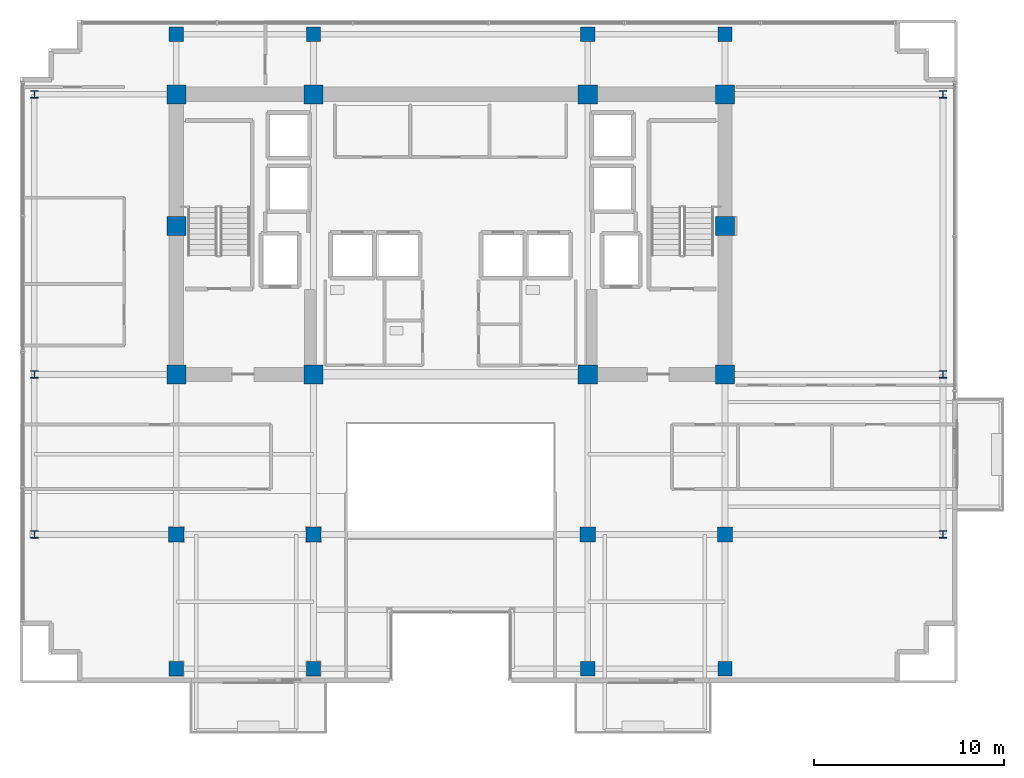
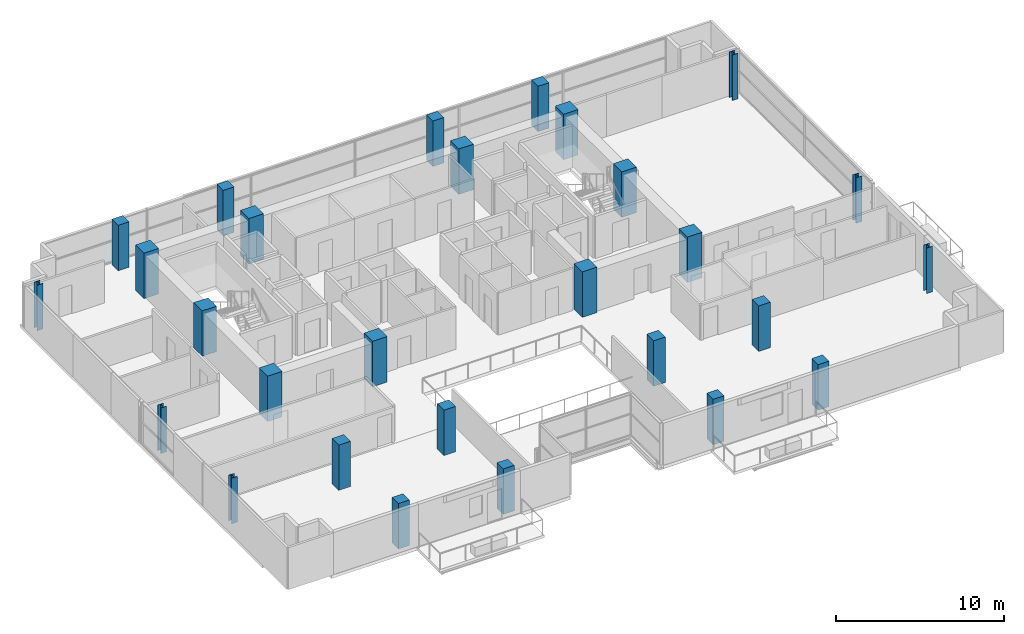
# One storey, part 1 of 22: 28 columns.
"""IFC4 building model written with IfcOpenShell, lengths in metres."""

import ifcopenshell
import ifcopenshell.guid

model = None  # the IFC model being written
_history = None  # IfcOwnerHistory: only IFC2X3 demands one
_inside = {}  # id of a spatial element -> (the spatial element, [elements in it])
_under = {}  # id of a project, library or spatial element -> (it, [spatial elements below it])
_declared = {}  # id of a project -> (the project, [libraries it declares])
_typed = {}  # id of a type object -> (the type object, [elements of that type])
_made_of = {}  # id of a material, layer set ... -> (it, [elements and type objects made of it])


def new_model(schema):
    """Start an empty IFC model of exactly this schema.

    Asked for "IFC4X3", IfcOpenShell would pick the latest addendum, in which some entities
    have other attributes; the version numbers below select the first issue.
    IFC2X3 requires an IfcOwnerHistory on every rooted entity: one is made here for all.
    """
    global model, _history
    if schema == "IFC4X3":
        model = ifcopenshell.file(schema_version=(4, 3, 0, 0))
    else:
        model = ifcopenshell.file(schema=schema)
    _inside.clear()
    _under.clear()
    _declared.clear()
    _typed.clear()
    _made_of.clear()
    _history = None
    if model.schema == "IFC2X3":
        org = make("IfcOrganization", Name="unknown")
        user = make(
            "IfcPersonAndOrganization",
            ThePerson=make("IfcPerson", FamilyName="unknown"),
            TheOrganization=org,
        )
        app = make(
            "IfcApplication",
            ApplicationDeveloper=org,
            Version="unknown",
            ApplicationFullName="unknown",
            ApplicationIdentifier="unknown",
        )
        _history = make(
            "IfcOwnerHistory",
            OwningUser=user,
            OwningApplication=app,
            ChangeAction="ADDED",
            CreationDate=0,
        )
    return model


def make(cls, **values):
    """One entity of the class cls with the attributes given. An attribute that is None is left unset."""
    return model.create_entity(
        cls, **{name: value for name, value in values.items() if value is not None}
    )


def rooted(cls, **values):
    """An entity with a GlobalId (a new one), such as an element, a storey or a relation."""
    return make(cls, GlobalId=ifcopenshell.guid.new(), OwnerHistory=_history, **values)


def si_unit(unit_type, name, prefix=None):
    """IfcSIUnit, for example si_unit("LENGTHUNIT", "METRE", prefix="MILLI")."""
    return make("IfcSIUnit", UnitType=unit_type, Prefix=prefix, Name=name)


def assignment(units):
    """IfcUnitAssignment: the units of a project."""
    return None if units is None else make("IfcUnitAssignment", Units=units)


def point(xyz):
    """IfcCartesianPoint."""
    return None if xyz is None else make("IfcCartesianPoint", Coordinates=xyz)


def direction(xyz):
    """IfcDirection."""
    return None if xyz is None else make("IfcDirection", DirectionRatios=xyz)


def frame(location, z_axis=None, x_axis=None):
    """IfcAxis2Placement3D, a coordinate frame: its origin and axes. An axis left out is left unset."""
    return make(
        "IfcAxis2Placement3D",
        Location=point(location),
        Axis=direction(z_axis),
        RefDirection=direction(x_axis),
    )


def frame_2d(location, x_axis=None):
    """IfcAxis2Placement2D, a coordinate frame in the plane: its origin and x axis."""
    return make(
        "IfcAxis2Placement2D", Location=point(location), RefDirection=direction(x_axis)
    )


def origin():
    """The frame at (0, 0, 0) with its axes left unset."""
    return frame((0.0, 0.0, 0.0))


def origin_2d():
    """The frame at (0, 0) in the plane with its x axis left unset."""
    return frame_2d((0.0, 0.0))


def place(relative_to, where):
    """IfcLocalPlacement: puts the frame where relative to a parent placement (None: the world)."""
    return make(
        "IfcLocalPlacement", PlacementRelTo=relative_to, RelativePlacement=where
    )


def context(
    kind, dimensions, precision=None, world=None, true_north=None, identifier=None
):
    """IfcGeometricRepresentationContext, for example the 3D "Model" context."""
    return make(
        "IfcGeometricRepresentationContext",
        ContextIdentifier=identifier,
        ContextType=kind,
        CoordinateSpaceDimension=dimensions,
        Precision=precision,
        WorldCoordinateSystem=world,
        TrueNorth=true_north,
    )


def subcontext(parent, identifier, kind, view, scale=None):
    """IfcGeometricRepresentationSubContext, for example "Body" below "Model"."""
    return make(
        "IfcGeometricRepresentationSubContext",
        ContextIdentifier=identifier,
        ContextType=kind,
        ParentContext=parent,
        TargetScale=scale,
        TargetView=view,
    )


def project(units=None, contexts=None):
    """IfcProject with its units and contexts."""
    return rooted(
        "IfcProject",
        Name="project",
        RepresentationContexts=contexts,
        UnitsInContext=assignment(units),
    )


def spatial(cls, under=None, at=None, **own):
    """A site, building, storey or space (cls), placed at a placement, below another one or the project."""
    s = rooted(cls, ObjectPlacement=at, **own)
    if under is not None:
        _under.setdefault(under.id(), (under, []))[1].append(s)
    return s


def profile(cls, at=None, kind="AREA", **sizes):
    """A parametric profile (cls). Its sizes go by their IFC names, for example OverallWidth=200.0."""
    return make(cls, ProfileType=kind, Position=at, **sizes)


def rectangle(**sizes):
    """IfcRectangleProfileDef."""
    return profile("IfcRectangleProfileDef", **sizes)


def i_section(**sizes):
    """IfcIShapeProfileDef."""
    return profile("IfcIShapeProfileDef", **sizes)


def extrude(swept, where, along, depth):
    """IfcExtrudedAreaSolid: the profile swept, set in the frame where, extruded along a direction by depth."""
    return make(
        "IfcExtrudedAreaSolid",
        SweptArea=swept,
        Position=where,
        ExtrudedDirection=direction(along),
        Depth=depth,
    )


def shape(context_of_items, identifier, shape_type, items):
    """IfcShapeRepresentation: the items that make up one representation, for example the "Body"."""
    return make(
        "IfcShapeRepresentation",
        ContextOfItems=context_of_items,
        RepresentationIdentifier=identifier,
        RepresentationType=shape_type,
        Items=items,
    )


def material(Name=None, Category=None):
    """IfcMaterial."""
    return make("IfcMaterial", Name=Name, Category=Category)


def material_profile(
    of_material, cross_section, Name=None, Category=None, Priority=None
):
    """IfcMaterialProfile: a cross section and its material."""
    return make(
        "IfcMaterialProfile",
        Name=Name,
        Material=of_material,
        Profile=cross_section,
        Priority=Priority,
        Category=Category,
    )


def profile_set(profiles, Name=None, composite=None):
    """IfcMaterialProfileSet."""
    return make(
        "IfcMaterialProfileSet",
        Name=Name,
        MaterialProfiles=profiles,
        CompositeProfile=composite,
    )


def made_of(thing, what):
    """Note that an element or type object is made of a material, layer set ...; save() writes the relation."""
    if what is not None:
        _made_of.setdefault(what.id(), (what, []))[1].append(thing)
    return thing


def type_object(cls, material=None, **own):
    """A type object (cls), such as IfcWallType, which elements share."""
    return made_of(rooted(cls, **own), material)


def element(
    cls,
    number,
    at=None,
    inside=None,
    cuts=None,
    type_object=None,
    material=None,
    context=None,
    identifier="Body",
    shape_type=None,
    held_by="IfcProductDefinitionShape",
    body=None,
    shapes=None,
    **own,
):
    """One element of the class cls, such as IfcWall. Its Tag is "e" and its number.

    at: its placement. inside: the storey or other place that contains it. cuts: it is an
    opening in that element (IfcRelVoidsElement). A single representation is given by context,
    identifier, shape_type and body (its items); several are given by shapes. held_by: the class
    of the entity that holds the representations. save() writes the other relations.
    """
    e = rooted(cls, Tag="e%d" % number, ObjectPlacement=at, **own)
    if body is not None:
        shapes = [shape(context, identifier, shape_type, body)]
    if shapes is not None:
        e.Representation = make(held_by, Representations=shapes)
    if inside is not None:
        _inside.setdefault(inside.id(), (inside, []))[1].append(e)
    if cuts is not None:
        rooted(
            "IfcRelVoidsElement", RelatingBuildingElement=cuts, RelatedOpeningElement=e
        )
    if type_object is not None:
        _typed.setdefault(type_object.id(), (type_object, []))[1].append(e)
    return made_of(e, material)


def aggregate(whole, parts):
    """IfcRelAggregates: a whole, such as a stair, and the parts it consists of."""
    return rooted("IfcRelAggregates", RelatingObject=whole, RelatedObjects=parts)


def save(model, path):
    """Write the relations noted so far, then the file.

    IfcRelAggregates (storeys below a building ...), IfcRelContainedInSpatialStructure (elements
    in a storey), IfcRelDefinesByType, IfcRelAssociatesMaterial and IfcRelDeclares: one each for
    every whole, place, type object, material and project.
    """
    for whole, parts in _under.values():
        aggregate(whole, parts)
    for where, things in _inside.values():
        rooted(
            "IfcRelContainedInSpatialStructure",
            RelatedElements=things,
            RelatingStructure=where,
        )
    for kind, things in _typed.values():
        rooted("IfcRelDefinesByType", RelatedObjects=things, RelatingType=kind)
    for what, things in _made_of.values():
        rooted("IfcRelAssociatesMaterial", RelatedObjects=things, RelatingMaterial=what)
    for by, libraries in _declared.values():
        rooted("IfcRelDeclares", RelatingContext=by, RelatedDefinitions=libraries)
    model.write(path)


model = new_model("IFC4")

# Units and contexts
model_context = context("Model", 3, precision=1e-05, world=origin(), true_north=direction((0.0, 1.0)))
body_context = subcontext(model_context, "Body", "Model", "MODEL_VIEW")
ifc_project = project(units=[si_unit("LENGTHUNIT", "METRE"), si_unit("AREAUNIT", "SQUARE_METRE"), si_unit("VOLUMEUNIT", "CUBIC_METRE"), si_unit("PLANEANGLEUNIT", "RADIAN"), si_unit("MASSUNIT", "GRAM", prefix="KILO")], contexts=[model_context])

# Site, building, storey
site_placement = place(None, origin())
site = spatial("IfcSite", under=ifc_project, at=site_placement, CompositionType="ELEMENT")
building_placement = place(site_placement, origin())
building = spatial("IfcBuilding", under=site, at=building_placement, Name="Zarnakvel Exchange Tower", CompositionType="ELEMENT")
storey_placement = place(building_placement, frame((0.0, 0.0, 195.699951171875)))
storey = spatial("IfcBuildingStorey", under=building, at=storey_placement, Name="L55", CompositionType="ELEMENT", Elevation=195.699951171875)

# Columns
ifc_material_1 = material(Name="Concrete C60/75", Category="concrete")
ifc_material_profile_1 = material_profile(ifc_material_1, rectangle(XDim=1.0, YDim=1.0, at=origin_2d()))
ifc_profile_set_1 = profile_set([ifc_material_profile_1], Name="Concrete C60/75")
column_type_1 = type_object("IfcColumnType", Name="CC-02", PredefinedType="COLUMN", material=ifc_profile_set_1)
for number, where, z_axis, x_axis, name in (
    (1, (-14.39990234375, -1.199951171875, 0.0), (0.0, 0.0, 1.0), (1.0, 0.0, 0.0), "L55 Column C-4D (CC-02)"),
    (2, (-7.199951171875, -1.199951171875, 0.0), (0.0, 0.0, 1.0), (1.0, 0.0, 0.0), "L55 Column C-5D (CC-02)"),
    (3, (7.199951171875, -1.199951171875, 0.0), (0.0, 0.0, 1.0), (1.0, 0.0, 0.0), "L55 Column C-8D (CC-02)"),
    (4, (14.39990234375, -1.199951171875, 0.0), (0.0, 0.0, 1.0), (1.0, 0.0, 0.0), "L55 Column C-9D (CC-02)"),
    (5, (-14.39990234375, 6.60009765625, 0.0), (0.0, 0.0, 1.0), (1.0, 0.0, 0.0), "L55 Column C-4E (CC-02)"),
    (6, (14.39990234375, 6.60009765625, 0.0), (0.0, 0.0, 1.0), (1.0, 0.0, 0.0), "L55 Column C-9E (CC-02)"),
    (7, (-14.39990234375, 13.5, 0.0), (0.0, 0.0, 1.0), (1.0, 0.0, 0.0), "L55 Column C-4F (CC-02)"),
    (8, (-7.199951171875, 13.5, 0.0), (0.0, 0.0, 1.0), (1.0, 0.0, 0.0), "L55 Column C-5F (CC-02)"),
    (9, (7.199951171875, 13.5, 0.0), (0.0, 0.0, 1.0), (1.0, 0.0, 0.0), "L55 Column C-8F (CC-02)"),
    (10, (14.39990234375, 13.5, 0.0), (0.0, 0.0, 1.0), (1.0, 0.0, 0.0), "L55 Column C-9F (CC-02)"),
):
    element("IfcColumn", number, at=place(storey_placement, frame(where, z_axis=z_axis, x_axis=x_axis)), inside=storey, type_object=column_type_1, Name=name, PredefinedType="COLUMN", context=body_context, shape_type="SweptSolid", body=[
        extrude(rectangle(XDim=1.0, YDim=1.0, at=origin_2d()), origin(), (0.0, 0.0, 1.0), 3.300048828125),
    ])
ifc_material_2 = material(Name="Steel S355", Category="steel")
ifc_material_profile_2 = material_profile(ifc_material_2, i_section(OverallWidth=0.39892578125, OverallDepth=0.3935546875, WebThickness=0.022705078125, FlangeThickness=0.03662109375, FilletRadius=0.01513671875, at=origin_2d()))
ifc_profile_set_2 = profile_set([ifc_material_profile_2], Name="Steel S355")
column_type_2 = type_object("IfcColumnType", Name="SC-04", PredefinedType="COLUMN", material=ifc_profile_set_2)
for number, where, z_axis, x_axis, name in (
    (11, (-21.85009765625, -9.60009765625, 0.0), (0.0, 0.0, 1.0), (1.0, 0.0, 0.0), "L55 Column TW-C (SC-04)"),
    (12, (25.85009765625, -9.60009765625, 0.0), (0.0, 0.0, 1.0), (1.0, 0.0, 0.0), "L55 Column TE-C (SC-04)"),
    (13, (-21.85009765625, -1.199951171875, 0.0), (0.0, 0.0, 1.0), (1.0, 0.0, 0.0), "L55 Column TW-D (SC-04)"),
    (14, (25.85009765625, -1.199951171875, 0.0), (0.0, 0.0, 1.0), (1.0, 0.0, 0.0), "L55 Column TE-D (SC-04)"),
    (15, (-21.85009765625, 13.5, 0.0), (0.0, 0.0, 1.0), (1.0, 0.0, 0.0), "L55 Column TW-F (SC-04)"),
    (16, (25.85009765625, 13.5, 0.0), (0.0, 0.0, 1.0), (1.0, 0.0, 0.0), "L55 Column TE-F (SC-04)"),
):
    element("IfcColumn", number, at=place(storey_placement, frame(where, z_axis=z_axis, x_axis=x_axis)), inside=storey, type_object=column_type_2, Name=name, PredefinedType="COLUMN", context=body_context, shape_type="SweptSolid", body=[
        extrude(i_section(OverallWidth=0.39892578125, OverallDepth=0.3935546875, WebThickness=0.022705078125, FlangeThickness=0.03662109375, FilletRadius=0.01513671875, at=origin_2d()), origin(), (0.0, 0.0, 1.0), 3.300048828125),
    ])
ifc_material_profile_3 = material_profile(ifc_material_1, rectangle(XDim=0.800048828125, YDim=0.800048828125, at=origin_2d()))
ifc_profile_set_3 = profile_set([ifc_material_profile_3], Name="Concrete C60/75")
column_type_3 = type_object("IfcColumnType", Name="TC-03", PredefinedType="COLUMN", material=ifc_profile_set_3)
for number, where, z_axis, x_axis, name in (
    (17, (-14.39990234375, -9.60009765625, 0.0), (0.0, 0.0, 1.0), (1.0, 0.0, 0.0), "L55 Column T-4C (TC-03)"),
    (18, (-7.199951171875, -9.60009765625, 0.0), (0.0, 0.0, 1.0), (1.0, 0.0, 0.0), "L55 Column T-5C (TC-03)"),
    (19, (7.199951171875, -9.60009765625, 0.0), (0.0, 0.0, 1.0), (1.0, 0.0, 0.0), "L55 Column T-8C (TC-03)"),
    (20, (14.39990234375, -9.60009765625, 0.0), (0.0, 0.0, 1.0), (1.0, 0.0, 0.0), "L55 Column T-9C (TC-03)"),
):
    element("IfcColumn", number, at=place(storey_placement, frame(where, z_axis=z_axis, x_axis=x_axis)), inside=storey, type_object=column_type_3, Name=name, PredefinedType="COLUMN", context=body_context, shape_type="SweptSolid", body=[
        extrude(rectangle(XDim=0.800048828125, YDim=0.800048828125, at=origin_2d()), origin(), (0.0, 0.0, 1.0), 3.300048828125),
    ])
ifc_material_3 = material(Name="Concrete C50/60", Category="concrete")
ifc_material_profile_4 = material_profile(ifc_material_3, rectangle(XDim=0.75, YDim=0.75, at=origin_2d()))
ifc_profile_set_4 = profile_set([ifc_material_profile_4], Name="Concrete C50/60")
column_type_4 = type_object("IfcColumnType", Name="TC-04", PredefinedType="COLUMN", material=ifc_profile_set_4)
for number, where, z_axis, x_axis, name in (
    (21, (-14.39990234375, -16.64990234375, 0.0), (0.0, 0.0, 1.0), (1.0, 0.0, 0.0), "L55 Column TS-4 (TC-04)"),
    (22, (-14.39990234375, 16.64990234375, 0.0), (0.0, 0.0, 1.0), (1.0, 0.0, 0.0), "L55 Column TN-4 (TC-04)"),
    (23, (-7.199951171875, -16.64990234375, 0.0), (0.0, 0.0, 1.0), (1.0, 0.0, 0.0), "L55 Column TS-5 (TC-04)"),
    (24, (-7.199951171875, 16.64990234375, 0.0), (0.0, 0.0, 1.0), (1.0, 0.0, 0.0), "L55 Column TN-5 (TC-04)"),
    (25, (7.199951171875, -16.64990234375, 0.0), (0.0, 0.0, 1.0), (1.0, 0.0, 0.0), "L55 Column TS-8 (TC-04)"),
    (26, (7.199951171875, 16.64990234375, 0.0), (0.0, 0.0, 1.0), (1.0, 0.0, 0.0), "L55 Column TN-8 (TC-04)"),
    (27, (14.39990234375, -16.64990234375, 0.0), (0.0, 0.0, 1.0), (1.0, 0.0, 0.0), "L55 Column TS-9 (TC-04)"),
    (28, (14.39990234375, 16.64990234375, 0.0), (0.0, 0.0, 1.0), (1.0, 0.0, 0.0), "L55 Column TN-9 (TC-04)"),
):
    element("IfcColumn", number, at=place(storey_placement, frame(where, z_axis=z_axis, x_axis=x_axis)), inside=storey, type_object=column_type_4, Name=name, PredefinedType="COLUMN", context=body_context, shape_type="SweptSolid", body=[
        extrude(rectangle(XDim=0.75, YDim=0.75, at=origin_2d()), origin(), (0.0, 0.0, 1.0), 3.300048828125),
    ])

save(model, "model.ifc")
